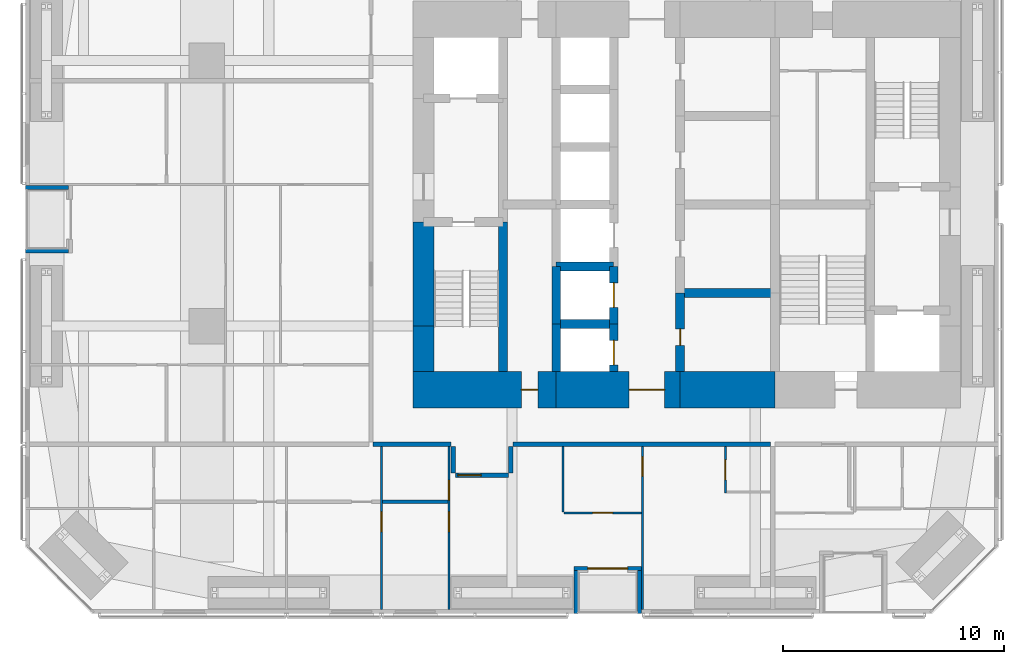
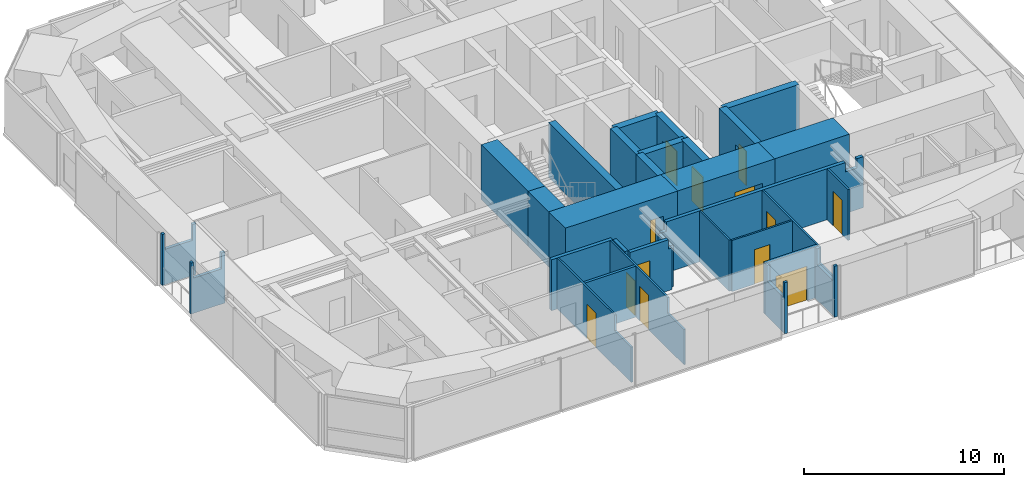
# One storey, part 18 of 24: 31 walls, 13 doors, 13 openings.
"""IFC4 building model written with IfcOpenShell, lengths in metres."""

from ifc_helpers import new_model, si_unit, direction, frame, frame_2d, origin, place, context, subcontext, project, spatial, polyline, rectangle, outline, extrude, material, layer, layer_set, constituent, constituent_set, type_object, element, fill, save


model = new_model("IFC4")

# Units and contexts
model_context = context("Model", 3, precision=1e-05, world=origin(), true_north=direction((0.0, 1.0)))
body_context = subcontext(model_context, "Body", "Model", "MODEL_VIEW")
ifc_project = project(units=[si_unit("LENGTHUNIT", "METRE"), si_unit("AREAUNIT", "SQUARE_METRE"), si_unit("VOLUMEUNIT", "CUBIC_METRE"), si_unit("PLANEANGLEUNIT", "RADIAN"), si_unit("MASSUNIT", "GRAM", prefix="KILO")], contexts=[model_context])

# Site, building, storey
site_placement = place(None, origin())
site = spatial("IfcSite", under=ifc_project, at=site_placement, CompositionType="ELEMENT")
building_placement = place(site_placement, origin())
building = spatial("IfcBuilding", under=site, at=building_placement, Name="Jalousie Tower", CompositionType="ELEMENT")
storey_placement = place(building_placement, frame((0.0, 0.0, 61.199951171875)))
storey = spatial("IfcBuildingStorey", under=building, at=storey_placement, Name="L16", CompositionType="ELEMENT", Elevation=61.199951171875)

# Wall
ifc_material_1 = material(Name="Concrete block ASTM C90", Category="concrete")
ifc_constituent_1 = constituent(ifc_material_1, Name="Body")
ifc_material_2 = material(Name="Render")
ifc_constituent_2 = constituent(ifc_material_2, Name="Finish")
ifc_constituent_set_1 = constituent_set(constituents=[ifc_constituent_1, ifc_constituent_2])
wall_type_1 = type_object("IfcWallType", Name="BATHROOM WALL 150", PredefinedType="PLUMBINGWALL", material=ifc_constituent_set_1)
wall_1_placement = place(storey_placement, frame((18.14990234375, 5.050048828125, 0.0), z_axis=(0.0, 0.0, 1.0), x_axis=(1.0, 0.0, 0.0)))
element("IfcWall", 1, at=wall_1_placement, inside=storey, type_object=wall_type_1, Name="Bathroom Wall 150 L16", PredefinedType="PLUMBINGWALL", context=body_context, shape_type="SweptSolid", body=[
    extrude(rectangle(XDim=2.9501953125, YDim=0.14990234375, at=frame_2d((1.47509765625, 0.0))), origin(), (0.0, 0.0, 1.0), 3.110107421875),
])

# Wall, opening, door
ifc_material_3 = material(Name="Concrete f'c 120 MPa", Category="concrete")
ifc_layer_1 = layer(ifc_material_3, 1.64990234375)
ifc_layer_set_1 = layer_set([ifc_layer_1], Name="Concrete f'c 120 MPa")
wall_type_2 = type_object("IfcWallType", Name="CORE WALL 1650", PredefinedType="SHEAR", material=ifc_layer_set_1)
wall_2_placement = place(storey_placement, frame((19.52490234375, 10.125, 0.0), z_axis=(0.0, 0.0, 1.0), x_axis=(1.0, 0.0, 0.0)))
wall_2 = element("IfcWall", 2, at=wall_2_placement, inside=storey, type_object=wall_type_2, Name="Core wall SA L16", PredefinedType="SHEAR", context=body_context, shape_type="SweptSolid", body=[
    extrude(rectangle(XDim=6.47509765625, YDim=1.64990234375, at=frame_2d((3.237548828125, 0.0))), origin(), (0.0, 0.0, 1.0), 3.35009765625),
])
opening_1_placement = place(wall_2_placement, frame((4.89990234375, 0.0, 0.0)))
opening_1 = element("IfcOpeningElement", 3, at=opening_1_placement, cuts=wall_2, Name="Opening D16", PredefinedType="OPENING", context=body_context, shape_type="SweptSolid", body=[
    extrude(rectangle(XDim=0.75, YDim=2.10009765625, at=frame_2d((0.375, 1.050048828125))), frame((0.0, 0.8349609375, 0.0), z_axis=(0.0, -1.0, 0.0), x_axis=(1.0, 0.0, 0.0)), (0.0, 0.0, 1.0), 1.669921875),
])
ifc_material_4 = material(Name="Steel fire door", Category="steel")
door_type_1 = type_object("IfcDoorType", Name="RISER DOOR 750", OperationType="SINGLE_SWING_LEFT", PredefinedType="DOOR", material=ifc_material_4)
door_1_placement = place(opening_1_placement, origin())
door_1 = element("IfcDoor", 4, at=door_1_placement, inside=storey, type_object=door_type_1, Name="South riser door", OperationType="SINGLE_SWING_LEFT", OverallHeight=2.10009765625, OverallWidth=0.75, PredefinedType="DOOR", context=body_context, shape_type="SweptSolid", body=[
    extrude(rectangle(XDim=0.75, YDim=2.10009765625, at=frame_2d((0.375, 1.050048828125))), frame((0.0, 0.02490234375, 0.0), z_axis=(0.0, -1.0, 0.0), x_axis=(1.0, 0.0, 0.0)), (0.0, 0.0, 1.0), 0.050048828125),
])
fill(opening_1, door_1)

wall_3_placement = place(storey_placement, frame((26.0, 10.125, 0.0), z_axis=(0.0, 0.0, 1.0), x_axis=(1.0, 0.0, 0.0)))
wall_3 = element("IfcWall", 5, at=wall_3_placement, inside=storey, type_object=wall_type_2, Name="Core wall SB L16", PredefinedType="SHEAR", context=body_context, shape_type="SweptSolid", body=[
    extrude(rectangle(XDim=5.60009765625, YDim=1.64990234375, at=frame_2d((2.800048828125, 0.0))), origin(), (0.0, 0.0, 1.0), 3.35009765625),
])
opening_2_placement = place(wall_3_placement, frame((3.300048828125, 0.0, 0.0)))
opening_2 = element("IfcOpeningElement", 6, at=opening_2_placement, cuts=wall_3, Name="Opening D15", PredefinedType="OPENING", context=body_context, shape_type="SweptSolid", body=[
    extrude(rectangle(XDim=1.60009765625, YDim=2.10009765625, at=frame_2d((0.800048828125, 1.050048828125))), frame((0.0, 0.8349609375, 0.0), z_axis=(0.0, -1.0, 0.0), x_axis=(1.0, 0.0, 0.0)), (0.0, 0.0, 1.0), 1.669921875),
])
ifc_material_5 = material(Name="Steel fire door", Category="steel")
door_type_2 = type_object("IfcDoorType", Name="LIFT LOBBY DOOR 1600", OperationType="DOUBLE_DOOR_SINGLE_SWING", PredefinedType="DOOR", material=ifc_material_5)
door_2_placement = place(opening_2_placement, origin())
door_2 = element("IfcDoor", 7, at=door_2_placement, inside=storey, type_object=door_type_2, Name="Lift lobby south door", OperationType="DOUBLE_DOOR_SINGLE_SWING", OverallHeight=2.10009765625, OverallWidth=1.60009765625, PredefinedType="DOOR", context=body_context, shape_type="SweptSolid", body=[
    extrude(rectangle(XDim=1.60009765625, YDim=2.10009765625, at=frame_2d((0.800048828125, 1.050048828125))), frame((0.0, 0.02490234375, 0.0), z_axis=(0.0, -1.0, 0.0), x_axis=(1.0, 0.0, 0.0)), (0.0, 0.0, 1.0), 0.050048828125),
])
fill(opening_2, door_2)

# Walls
wall_4_placement = place(storey_placement, frame((31.60009765625, 10.125, 0.0), z_axis=(0.0, 0.0, 1.0), x_axis=(1.0, 0.0, 0.0)))
element("IfcWall", 8, at=wall_4_placement, inside=storey, type_object=wall_type_2, Name="Core wall SC L16", PredefinedType="SHEAR", context=body_context, shape_type="SweptSolid", body=[
    extrude(rectangle(XDim=4.2998046875, YDim=1.64990234375, at=frame_2d((2.14990234375, 0.0))), origin(), (0.0, 0.0, 1.0), 3.35009765625),
])
ifc_material_6 = material(Name="Concrete f'c 120 MPa", Category="concrete")
ifc_layer_2 = layer(ifc_material_6, 0.39990234375)
ifc_layer_set_2 = layer_set([ifc_layer_2], Name="Concrete f'c 120 MPa")
wall_type_3 = type_object("IfcWallType", Name="CORE WALL 400", PredefinedType="SHEAR", material=ifc_layer_set_2)
wall_5_placement = place(storey_placement, frame((23.60009765625, 10.949951171875, 0.0), z_axis=(0.0, 0.0, 1.0), x_axis=(0.0, 1.0, 0.0)))
element("IfcWall", 9, at=wall_5_placement, inside=storey, type_object=wall_type_3, Name="Core wall X23.6A L16", PredefinedType="SHEAR", context=body_context, shape_type="SweptSolid", body=[
    extrude(rectangle(XDim=6.75, YDim=0.39990234375, at=frame_2d((3.375, 0.0))), origin(), (0.0, 0.0, 1.0), 3.35009765625),
])
wall_6_placement = place(storey_placement, frame((26.0, 10.949951171875, 0.0), z_axis=(0.0, 0.0, 1.0), x_axis=(0.0, 1.0, 0.0)))
element("IfcWall", 10, at=wall_6_placement, inside=storey, type_object=wall_type_3, Name="Core wall X26A L16", PredefinedType="SHEAR", context=body_context, shape_type="SweptSolid", body=[
    extrude(rectangle(XDim=2.150146484375, YDim=0.39990234375, at=frame_2d((1.0751953125, 0.0))), origin(), (0.0, 0.0, 1.0), 3.35009765625),
])
wall_7_placement = place(storey_placement, frame((26.0, 13.10009765625, 0.0), z_axis=(0.0, 0.0, 1.0), x_axis=(0.0, 1.0, 0.0)))
element("IfcWall", 11, at=wall_7_placement, inside=storey, type_object=wall_type_3, Name="Core wall X26B L16", PredefinedType="SHEAR", context=body_context, shape_type="SweptSolid", body=[
    extrude(rectangle(XDim=2.599853515625, YDim=0.39990234375, at=frame_2d((1.2998046875, 0.0))), origin(), (0.0, 0.0, 1.0), 3.35009765625),
])

# Wall, opening, door
wall_8_placement = place(storey_placement, frame((28.60009765625, 10.949951171875, 0.0), z_axis=(0.0, 0.0, 1.0), x_axis=(0.0, 1.0, 0.0)))
wall_8 = element("IfcWall", 12, at=wall_8_placement, inside=storey, type_object=wall_type_3, Name="Core wall X28.6A L16", PredefinedType="SHEAR", context=body_context, shape_type="SweptSolid", body=[
    extrude(rectangle(XDim=2.150146484375, YDim=0.39990234375, at=frame_2d((1.0751953125, 0.0))), origin(), (0.0, 0.0, 1.0), 3.35009765625),
])
opening_3_placement = place(wall_8_placement, frame((0.300048828125, 0.0, 0.0)))
opening_3 = element("IfcOpeningElement", 13, at=opening_3_placement, cuts=wall_8, Name="Opening LD1", PredefinedType="OPENING", context=body_context, shape_type="SweptSolid", body=[
    extrude(rectangle(XDim=1.10009765625, YDim=2.10009765625, at=frame_2d((0.550048828125, 1.050048828125))), frame((0.0, 0.2099609375, 0.0), z_axis=(0.0, -1.0, 0.0), x_axis=(1.0, 0.0, 0.0)), (0.0, 0.0, 1.0), 0.419921875),
])
ifc_material_7 = material(Name="Steel lift landing door", Category="steel")
door_type_3 = type_object("IfcDoorType", Name="LIFT LANDING DOOR 1100", OperationType="SLIDING_TO_LEFT", PredefinedType="DOOR", material=ifc_material_7)
door_3_placement = place(opening_3_placement, origin())
door_3 = element("IfcDoor", 14, at=door_3_placement, inside=storey, type_object=door_type_3, Name="Lift P1 landing door", OperationType="SLIDING_TO_LEFT", OverallHeight=2.10009765625, OverallWidth=1.10009765625, PredefinedType="DOOR", context=body_context, shape_type="SweptSolid", body=[
    extrude(rectangle(XDim=1.10009765625, YDim=2.10009765625, at=frame_2d((0.550048828125, 1.050048828125))), frame((0.0, 0.02490234375, 0.0), z_axis=(0.0, -1.0, 0.0), x_axis=(1.0, 0.0, 0.0)), (0.0, 0.0, 1.0), 0.050048828125),
])
fill(opening_3, door_3)

wall_9_placement = place(storey_placement, frame((28.60009765625, 13.10009765625, 0.0), z_axis=(0.0, 0.0, 1.0), x_axis=(0.0, 1.0, 0.0)))
wall_9 = element("IfcWall", 15, at=wall_9_placement, inside=storey, type_object=wall_type_3, Name="Core wall X28.6B L16", PredefinedType="SHEAR", context=body_context, shape_type="SweptSolid", body=[
    extrude(rectangle(XDim=2.599853515625, YDim=0.39990234375, at=frame_2d((1.2998046875, 0.0))), origin(), (0.0, 0.0, 1.0), 3.35009765625),
])
opening_4_placement = place(wall_9_placement, frame((0.75, 0.0, 0.0)))
opening_4 = element("IfcOpeningElement", 16, at=opening_4_placement, cuts=wall_9, Name="Opening LD1", PredefinedType="OPENING", context=body_context, shape_type="SweptSolid", body=[
    extrude(rectangle(XDim=1.10009765625, YDim=2.10009765625, at=frame_2d((0.550048828125, 1.050048828125))), frame((0.0, 0.2099609375, 0.0), z_axis=(0.0, -1.0, 0.0), x_axis=(1.0, 0.0, 0.0)), (0.0, 0.0, 1.0), 0.419921875),
])
door_4_placement = place(opening_4_placement, origin())
door_4 = element("IfcDoor", 17, at=door_4_placement, inside=storey, type_object=door_type_3, Name="Lift P2 landing door", OperationType="SLIDING_TO_LEFT", OverallHeight=2.10009765625, OverallWidth=1.10009765625, PredefinedType="DOOR", context=body_context, shape_type="SweptSolid", body=[
    extrude(rectangle(XDim=1.10009765625, YDim=2.10009765625, at=frame_2d((0.550048828125, 1.050048828125))), frame((0.0, 0.02490234375, 0.0), z_axis=(0.0, -1.0, 0.0), x_axis=(1.0, 0.0, 0.0)), (0.0, 0.0, 1.0), 0.050048828125),
])
fill(opening_4, door_4)

wall_10_placement = place(storey_placement, frame((31.60009765625, 10.949951171875, 0.0), z_axis=(0.0, 0.0, 1.0), x_axis=(0.0, 1.0, 0.0)))
wall_10 = element("IfcWall", 18, at=wall_10_placement, inside=storey, type_object=wall_type_3, Name="Core wall X31.6A L16", PredefinedType="SHEAR", context=body_context, shape_type="SweptSolid", body=[
    extrude(rectangle(XDim=3.550048828125, YDim=0.39990234375, at=frame_2d((1.77490234375, 0.0))), origin(), (0.0, 0.0, 1.0), 3.35009765625),
])
opening_5_placement = place(wall_10_placement, frame((1.175048828125, 0.0, 0.0)))
opening_5 = element("IfcOpeningElement", 19, at=opening_5_placement, cuts=wall_10, Name="Opening D16", PredefinedType="OPENING", context=body_context, shape_type="SweptSolid", body=[
    extrude(rectangle(XDim=0.75, YDim=2.10009765625, at=frame_2d((0.375, 1.050048828125))), frame((0.0, 0.2099609375, 0.0), z_axis=(0.0, -1.0, 0.0), x_axis=(1.0, 0.0, 0.0)), (0.0, 0.0, 1.0), 0.419921875),
])
door_5_placement = place(opening_5_placement, frame((0.75, 0.0, 0.0), z_axis=(0.0, 0.0, 1.0), x_axis=(-1.0, 0.0, 0.0)))
door_5 = element("IfcDoor", 20, at=door_5_placement, inside=storey, type_object=door_type_1, Name="Refuse Room door", OperationType="SINGLE_SWING_RIGHT", OverallHeight=2.10009765625, OverallWidth=0.75, PredefinedType="DOOR", context=body_context, shape_type="SweptSolid", body=[
    extrude(rectangle(XDim=0.75, YDim=2.10009765625, at=frame_2d((0.375, 1.050048828125))), frame((0.0, 0.02490234375, 0.0), z_axis=(0.0, -1.0, 0.0), x_axis=(1.0, 0.0, 0.0)), (0.0, 0.0, 1.0), 0.050048828125),
])
fill(opening_5, door_5)

# Walls
for number, where, z_axis, x_axis, name in (
    (21, (26.0, 13.10009765625, 0.0), (0.0, 0.0, 1.0), (1.0, 0.0, 0.0), "Core wall Y26-13.1 L16"),
    (22, (26.0, 15.699951171875, 0.0), (0.0, 0.0, 1.0), (1.0, 0.0, 0.0), "Core wall Y26-15.7 L16"),
):
    element("IfcWall", number, at=place(storey_placement, frame(where, z_axis=z_axis, x_axis=x_axis)), inside=storey, type_object=wall_type_3, Name=name, PredefinedType="SHEAR", context=body_context, shape_type="SweptSolid", body=[
        extrude(rectangle(XDim=2.60009765625, YDim=0.39990234375, at=frame_2d((1.300048828125, 0.0))), origin(), (0.0, 0.0, 1.0), 3.35009765625),
    ])
wall_11_placement = place(storey_placement, frame((31.60009765625, 14.5, 0.0), z_axis=(0.0, 0.0, 1.0), x_axis=(1.0, 0.0, 0.0)))
element("IfcWall", 23, at=wall_11_placement, inside=storey, type_object=wall_type_3, Name="Core wall Y31.6-14.5 L16", PredefinedType="SHEAR", context=body_context, shape_type="SweptSolid", body=[
    extrude(rectangle(XDim=4.2998046875, YDim=0.39990234375, at=frame_2d((2.14990234375, 0.0))), origin(), (0.0, 0.0, 1.0), 3.35009765625),
])
ifc_material_8 = material(Name="Concrete f'c 120 MPa", Category="concrete")
ifc_layer_3 = layer(ifc_material_8, 0.949951171875)
ifc_layer_set_3 = layer_set([ifc_layer_3], Name="Concrete f'c 120 MPa")
wall_type_4 = type_object("IfcWallType", Name="CORE WALL 950", PredefinedType="SHEAR", material=ifc_layer_set_3)
wall_12_placement = place(storey_placement, frame((20.0, 17.699951171875, 0.0), z_axis=(0.0, 0.0, 1.0), x_axis=(0.0, -1.0, 0.0)))
element("IfcWall", 24, at=wall_12_placement, inside=storey, type_object=wall_type_4, Name="Core wall WC L16", PredefinedType="SHEAR", context=body_context, shape_type="SweptSolid", body=[
    extrude(rectangle(XDim=4.699951171875, YDim=0.949951171875, at=frame_2d((2.35009765625, 0.0))), origin(), (0.0, 0.0, 1.0), 3.35009765625),
])
wall_13_placement = place(storey_placement, frame((20.0, 13.0, 0.0), z_axis=(0.0, 0.0, 1.0), x_axis=(0.0, -1.0, 0.0)))
element("IfcWall", 25, at=wall_13_placement, inside=storey, type_object=wall_type_4, Name="Core wall WD L16", PredefinedType="SHEAR", context=body_context, shape_type="SweptSolid", body=[
    extrude(rectangle(XDim=2.050048828125, YDim=0.949951171875, at=frame_2d((1.02490234375, 0.0))), origin(), (0.0, 0.0, 1.0), 3.35009765625),
])
ifc_material_9 = material(Name="Concrete block ASTM C90", Category="concrete")
ifc_constituent_3 = constituent(ifc_material_9, Name="Body")
ifc_material_10 = material(Name="Render")
ifc_constituent_4 = constituent(ifc_material_10, Name="Finish")
ifc_constituent_set_2 = constituent_set(constituents=[ifc_constituent_3, ifc_constituent_4])
wall_type_5 = type_object("IfcWallType", Name="CORRIDOR WALL 200", PredefinedType="PARTITIONING", material=ifc_constituent_set_2)
wall_14_placement = place(storey_placement, frame((17.72509765625, 7.64990234375, 0.0), z_axis=(0.0, 0.0, 1.0), x_axis=(1.0, 0.0, 0.0)))
element("IfcWall", 26, at=wall_14_placement, inside=storey, type_object=wall_type_5, Name="Corridor Wall 200 L16", PredefinedType="PARTITIONING", context=body_context, shape_type="SweptSolid", body=[
    extrude(rectangle(XDim=3.52490234375, YDim=0.199951171875, at=frame_2d((1.762451171875, 0.0))), origin(), (0.0, 0.0, 1.0), 3.110107421875),
])
wall_15_placement = place(storey_placement, frame((24.050048828125, 7.64990234375, 0.0), z_axis=(0.0, 0.0, 1.0), x_axis=(1.0, 0.0, 0.0)))
element("IfcWall", 27, at=wall_15_placement, inside=storey, type_object=wall_type_5, Name="Corridor Wall 200 L16", PredefinedType="PARTITIONING", context=body_context, shape_type="SweptSolid", body=[
    extrude(outline(polyline([(0.0, 0.0), (11.64990234375, 0.0), (11.64990234375, 3.110107421875), (11.287353515625, 3.110107421875), (11.287353515625, 2.541015625), (10.612548828125, 2.541015625), (10.612548828125, 3.110107421875), (0.287353515625, 3.110107421875), (0.287353515625, 2.541015625), (0.0, 2.541015625), (0.0, 3.110107421875), (0.0, 0.0)])), frame((0.0, 0.10009765625, 0.0), z_axis=(0.0, -1.0, 0.0), x_axis=(1.0, 0.0, 0.0)), (0.0, 0.0, 1.0), 0.199951171875),
])

# Wall, opening, door
wall_16_placement = place(storey_placement, frame((21.449951171875, 6.25, 0.0), z_axis=(0.0, 0.0, 1.0), x_axis=(1.0, 0.0, 0.0)))
wall_16 = element("IfcWall", 28, at=wall_16_placement, inside=storey, type_object=wall_type_5, Name="Corridor Wall 200 L16", PredefinedType="PARTITIONING", context=body_context, shape_type="SweptSolid", body=[
    extrude(outline(polyline([(0.0, 0.0), (2.400146484375, 0.0), (2.39990234375, 3.110107421875), (2.39990234375, 2.541015625), (2.212646484375, 2.541015625), (2.212646484375, 3.110107421875), (0.0, 3.110107421875), (0.0, 0.0)])), frame((0.0, 0.10009765625, 0.0), z_axis=(0.0, -1.0, 0.0), x_axis=(1.0, 0.0, 0.0)), (0.0, 0.0, 1.0), 0.199951171875),
])
opening_6_placement = place(wall_16_placement, frame((0.10009765625, 0.0, 0.0)))
opening_6 = element("IfcOpeningElement", 29, at=opening_6_placement, cuts=wall_16, Name="Opening D1", PredefinedType="OPENING", context=body_context, shape_type="SweptSolid", body=[
    extrude(rectangle(XDim=1.050048828125, YDim=2.199951171875, at=frame_2d((0.52490234375, 1.10009765625))), frame((0.0, 0.10986328125, 0.0), z_axis=(0.0, -1.0, 0.0), x_axis=(1.0, 0.0, 0.0)), (0.0, 0.0, 1.0), 0.219970703125),
])
ifc_material_11 = material(Name="Timber fire door", Category="wood")
door_type_4 = type_object("IfcDoorType", Name="APARTMENT ENTRANCE DOOR 1050", OperationType="SINGLE_SWING_LEFT", PredefinedType="DOOR", material=ifc_material_11)
door_6_placement = place(opening_6_placement, frame((1.050048828125, 0.0, 0.0), z_axis=(0.0, 0.0, 1.0), x_axis=(-1.0, 0.0, 0.0)))
door_6 = element("IfcDoor", 30, at=door_6_placement, inside=storey, type_object=door_type_4, Name="Apartment 1601 entrance", OperationType="SINGLE_SWING_RIGHT", OverallHeight=2.199951171875, OverallWidth=1.050048828125, PredefinedType="DOOR", context=body_context, shape_type="SweptSolid", body=[
    extrude(rectangle(XDim=1.050048828125, YDim=2.199951171875, at=frame_2d((0.52490234375, 1.10009765625))), frame((0.0, 0.02490234375, 0.0), z_axis=(0.0, -1.0, 0.0), x_axis=(1.0, 0.0, 0.0)), (0.0, 0.0, 1.0), 0.050048828125),
])
fill(opening_6, door_6)

# Walls
wall_17_placement = place(storey_placement, frame((21.35009765625, 7.550048828125, 0.0), z_axis=(0.0, 0.0, 1.0), x_axis=(0.0, -1.0, 0.0)))
element("IfcWall", 31, at=wall_17_placement, inside=storey, type_object=wall_type_5, Name="Corridor Wall 200 L16", PredefinedType="PARTITIONING", context=body_context, shape_type="SweptSolid", body=[
    extrude(rectangle(XDim=1.199951171875, YDim=0.199951171875, at=frame_2d((0.60009765625, 0.0))), origin(), (0.0, 0.0, 1.0), 3.110107421875),
])
wall_18_placement = place(storey_placement, frame((23.949951171875, 7.550048828125, 0.0), z_axis=(0.0, 0.0, 1.0), x_axis=(0.0, -1.0, 0.0)))
element("IfcWall", 32, at=wall_18_placement, inside=storey, type_object=wall_type_5, Name="Corridor Wall 200 L16", PredefinedType="PARTITIONING", context=body_context, shape_type="SweptSolid", body=[
    extrude(outline(polyline([(0.0, 0.0), (1.199951171875, 0.0), (1.199951171875, 3.110107421875), (1.199951171875, 2.541015625), (0.0, 2.541015625), (0.0, 3.110107421875), (0.0, 0.0)])), frame((0.0, 0.10009765625, 0.0), z_axis=(0.0, -1.0, 0.0), x_axis=(1.0, 0.0, 0.0)), (0.0, 0.0, 1.0), 0.199951171875),
])

# Wall, opening, door
ifc_material_12 = material(Name="Concrete f'c 40 MPa", Category="concrete")
ifc_constituent_5 = constituent(ifc_material_12, Name="Body")
ifc_material_13 = material(Name="Render, pastel coral")
ifc_constituent_6 = constituent(ifc_material_13, Name="Finish")
ifc_constituent_set_3 = constituent_set(constituents=[ifc_constituent_5, ifc_constituent_6])
wall_type_6 = type_object("IfcWallType", Name="EXTERNAL WALL 175 CORAL RENDER", PredefinedType="SOLIDWALL", material=ifc_constituent_set_3)
wall_19_placement = place(storey_placement, frame((26.800048828125, 2.03759765625, 0.0), z_axis=(0.0, 0.0, 1.0), x_axis=(1.0, 0.0, 0.0)))
wall_19 = element("IfcWall", 33, at=wall_19_placement, inside=storey, type_object=wall_type_6, Name="External Wall 175 Coral Render L16", PredefinedType="SOLIDWALL", context=body_context, shape_type="SweptSolid", body=[
    extrude(rectangle(XDim=3.050048828125, YDim=0.175048828125, at=frame_2d((1.52490234375, 0.0))), origin(), (0.0, 0.0, 1.0), 3.110107421875),
])
opening_7_placement = place(wall_19_placement, frame((0.625, 0.0, 0.0)))
opening_7 = element("IfcOpeningElement", 34, at=opening_7_placement, cuts=wall_19, Name="Opening D-BAL21", PredefinedType="OPENING", context=body_context, shape_type="SweptSolid", body=[
    extrude(rectangle(XDim=1.800048828125, YDim=2.10009765625, at=frame_2d((0.89990234375, 1.050048828125))), frame((0.0, 0.097412109375, 0.0), z_axis=(0.0, -1.0, 0.0), x_axis=(1.0, 0.0, 0.0)), (0.0, 0.0, 1.0), 0.195068359375),
])
ifc_material_14 = material(Name="Aluminium frame, impact-rated glazing", Category="aluminium")
door_type_5 = type_object("IfcDoorType", Name="BALCONY DOOR 1800x2100", OperationType="SLIDING_TO_LEFT", PredefinedType="DOOR", material=ifc_material_14)
door_7_placement = place(opening_7_placement, origin())
door_7 = element("IfcDoor", 35, at=door_7_placement, inside=storey, type_object=door_type_5, Name="Apartment 1601 living and dining room loggia door", OperationType="SLIDING_TO_LEFT", OverallHeight=2.10009765625, OverallWidth=1.800048828125, PredefinedType="DOOR", context=body_context, shape_type="SweptSolid", body=[
    extrude(rectangle(XDim=1.800048828125, YDim=2.10009765625, at=frame_2d((0.89990234375, 1.050048828125))), frame((0.0, 0.02490234375, 0.0), z_axis=(0.0, -1.0, 0.0), x_axis=(1.0, 0.0, 0.0)), (0.0, 0.0, 1.0), 0.050048828125),
])
fill(opening_7, door_7)

# Walls
for number, where, z_axis, x_axis, name in (
    (36, (26.887451171875, 0.0, 0.0), (0.0, 0.0, 1.0), (0.0, 1.0, 0.0), "External Wall 175 Coral Render L16"),
    (37, (29.762451171875, 0.0, 0.0), (0.0, 0.0, 1.0), (0.0, 1.0, 0.0), "External Wall 175 Coral Render L16"),
    (38, (2.0, 19.262451171875, 0.0), (0.0, 0.0, 1.0), (1.0, 0.0, 0.0), "External Wall 175 Coral Render L16"),
    (39, (2.0, 16.387451171875, 0.0), (0.0, 0.0, 1.0), (1.0, 0.0, 0.0), "External Wall 175 Coral Render L16"),
):
    element("IfcWall", number, at=place(storey_placement, frame(where, z_axis=z_axis, x_axis=x_axis)), inside=storey, type_object=wall_type_6, Name=name, PredefinedType="SOLIDWALL", context=body_context, shape_type="SweptSolid", body=[
        extrude(outline(polyline([(0.0, 0.0), (1.949951171875, 0.0), (1.949951171875, 3.110107421875), (1.75, 3.110107421875), (1.75, 2.150146484375), (0.14990234375, 2.150146484375), (0.14990234375, 3.110107421875), (0.0, 3.110107421875), (0.0, 0.0)])), frame((0.0, 0.08740234375, 0.0), z_axis=(0.0, -1.0, 0.0), x_axis=(1.0, 0.0, 0.0)), (0.0, 0.0, 1.0), 0.175048828125),
    ])

# Wall, opening, door
ifc_material_15 = material(Name="Gypsum board", Category="gypsum")
ifc_constituent_7 = constituent(ifc_material_15, Name="Body")
ifc_material_16 = material(Name="Light-gauge steel studs ASTM A653 SS Grade 33", Category="steel")
ifc_constituent_8 = constituent(ifc_material_16, Name="Framing")
ifc_constituent_set_4 = constituent_set(constituents=[ifc_constituent_7, ifc_constituent_8])
wall_type_7 = type_object("IfcWallType", Name="PARTITION 100", PredefinedType="PARTITIONING", material=ifc_constituent_set_4)
wall_20_placement = place(storey_placement, frame((18.10009765625, 0.175048828125, 0.0), z_axis=(0.0, 0.0, 1.0), x_axis=(0.0, 1.0, 0.0)))
wall_20 = element("IfcWall", 40, at=wall_20_placement, inside=storey, type_object=wall_type_7, Name="Partition 100 L16", PredefinedType="PARTITIONING", context=body_context, shape_type="SweptSolid", body=[
    extrude(outline(polyline([(0.0, 0.0), (7.375, 0.0), (7.375, 3.110107421875), (1.635009765625, 3.110107421875), (1.635009765625, 2.150146484375), (0.0, 2.150146484375), (0.0, 3.110107421875), (0.0, 0.0)])), frame((0.0, 0.050048828125, 0.0), z_axis=(0.0, -1.0, 0.0), x_axis=(1.0, 0.0, 0.0)), (0.0, 0.0, 1.0), 0.10009765625),
])
opening_8_placement = place(wall_20_placement, frame((3.52490234375, 0.0, 0.0)))
opening_8 = element("IfcOpeningElement", 41, at=opening_8_placement, cuts=wall_20, Name="Opening D2", PredefinedType="OPENING", context=body_context, shape_type="SweptSolid", body=[
    extrude(rectangle(XDim=0.89990234375, YDim=2.10009765625, at=frame_2d((0.449951171875, 1.050048828125))), frame((0.0, 0.06005859375, 0.0), z_axis=(0.0, -1.0, 0.0), x_axis=(1.0, 0.0, 0.0)), (0.0, 0.0, 1.0), 0.1201171875),
])
ifc_material_17 = material(Name="Timber door", Category="wood")
door_type_6 = type_object("IfcDoorType", Name="BEDROOM DOOR 900", OperationType="SINGLE_SWING_LEFT", PredefinedType="DOOR", material=ifc_material_17)
door_8_placement = place(opening_8_placement, origin())
door_8 = element("IfcDoor", 42, at=door_8_placement, inside=storey, type_object=door_type_6, Name="Apartment 1601 bedroom 3 door", OperationType="SINGLE_SWING_RIGHT", OverallHeight=2.10009765625, OverallWidth=0.89990234375, PredefinedType="DOOR", context=body_context, shape_type="SweptSolid", body=[
    extrude(rectangle(XDim=0.89990234375, YDim=2.10009765625, at=frame_2d((0.449951171875, 1.050048828125))), frame((0.0, 0.02490234375, 0.0), z_axis=(0.0, -1.0, 0.0), x_axis=(1.0, 0.0, 0.0)), (0.0, 0.0, 1.0), 0.050048828125),
])
fill(opening_8, door_8)

# Wall, openings, doors
wall_21_placement = place(storey_placement, frame((21.14990234375, 0.175048828125, 0.0), z_axis=(0.0, 0.0, 1.0), x_axis=(0.0, 1.0, 0.0)))
wall_21 = element("IfcWall", 43, at=wall_21_placement, inside=storey, type_object=wall_type_7, Name="Partition 100 L16", PredefinedType="PARTITIONING", context=body_context, shape_type="SweptSolid", body=[
    extrude(outline(polyline([(0.0, 0.0), (7.375, 0.0), (7.375, 3.110107421875), (1.635009765625, 3.110107421875), (1.635009765625, 2.150146484375), (0.0, 2.150146484375), (0.0, 3.110107421875), (0.0, 0.0)])), frame((0.0, 0.050048828125, 0.0), z_axis=(0.0, -1.0, 0.0), x_axis=(1.0, 0.0, 0.0)), (0.0, 0.0, 1.0), 0.10009765625),
])
opening_9_placement = place(wall_21_placement, frame((3.52490234375, 0.0, 0.0)))
opening_9 = element("IfcOpeningElement", 44, at=opening_9_placement, cuts=wall_21, Name="Opening D2", PredefinedType="OPENING", context=body_context, shape_type="SweptSolid", body=[
    extrude(rectangle(XDim=0.89990234375, YDim=2.10009765625, at=frame_2d((0.449951171875, 1.050048828125))), frame((0.0, 0.06005859375, 0.0), z_axis=(0.0, -1.0, 0.0), x_axis=(1.0, 0.0, 0.0)), (0.0, 0.0, 1.0), 0.1201171875),
])
opening_10_placement = place(wall_21_placement, frame((4.949951171875, 0.0, 0.0)))
opening_10 = element("IfcOpeningElement", 45, at=opening_10_placement, cuts=wall_21, Name="Opening D7", PredefinedType="OPENING", context=body_context, shape_type="SweptSolid", body=[
    extrude(rectangle(XDim=0.89990234375, YDim=2.10009765625, at=frame_2d((0.449951171875, 1.050048828125))), frame((0.0, 0.06005859375, 0.0), z_axis=(0.0, -1.0, 0.0), x_axis=(1.0, 0.0, 0.0)), (0.0, 0.0, 1.0), 0.1201171875),
])
door_9_placement = place(opening_9_placement, origin())
door_9 = element("IfcDoor", 46, at=door_9_placement, inside=storey, type_object=door_type_6, Name="Apartment 1601 bedroom 4 door", OperationType="SINGLE_SWING_RIGHT", OverallHeight=2.10009765625, OverallWidth=0.89990234375, PredefinedType="DOOR", context=body_context, shape_type="SweptSolid", body=[
    extrude(rectangle(XDim=0.89990234375, YDim=2.10009765625, at=frame_2d((0.449951171875, 1.050048828125))), frame((0.0, 0.02490234375, 0.0), z_axis=(0.0, -1.0, 0.0), x_axis=(1.0, 0.0, 0.0)), (0.0, 0.0, 1.0), 0.050048828125),
])
fill(opening_9, door_9)
ifc_material_18 = material(Name="Timber door", Category="wood")
door_type_7 = type_object("IfcDoorType", Name="INTERNAL DOOR 900", OperationType="SINGLE_SWING_LEFT", PredefinedType="DOOR", material=ifc_material_18)
door_10_placement = place(opening_10_placement, origin())
door_10 = element("IfcDoor", 47, at=door_10_placement, inside=storey, type_object=door_type_7, Name="Apartment 1601 bathroom door", OperationType="SINGLE_SWING_LEFT", OverallHeight=2.10009765625, OverallWidth=0.89990234375, PredefinedType="DOOR", context=body_context, shape_type="SweptSolid", body=[
    extrude(rectangle(XDim=0.89990234375, YDim=2.10009765625, at=frame_2d((0.449951171875, 1.050048828125))), frame((0.0, 0.02490234375, 0.0), z_axis=(0.0, -1.0, 0.0), x_axis=(1.0, 0.0, 0.0)), (0.0, 0.0, 1.0), 0.050048828125),
])
fill(opening_10, door_10)

# Wall, opening, door
wall_22_placement = place(storey_placement, frame((29.89990234375, 0.175048828125, 0.0), z_axis=(0.0, 0.0, 1.0), x_axis=(0.0, 1.0, 0.0)))
wall_22 = element("IfcWall", 48, at=wall_22_placement, inside=storey, type_object=wall_type_7, Name="Partition 100 L16", PredefinedType="PARTITIONING", context=body_context, shape_type="SweptSolid", body=[
    extrude(outline(polyline([(0.0, 0.0), (7.375, 0.0), (7.375, 3.110107421875), (1.635009765625, 3.110107421875), (1.635009765625, 2.150146484375), (0.0, 2.150146484375), (0.0, 3.110107421875), (0.0, 0.0)])), frame((0.0, 0.050048828125, 0.0), z_axis=(0.0, -1.0, 0.0), x_axis=(1.0, 0.0, 0.0)), (0.0, 0.0, 1.0), 0.10009765625),
])
opening_11_placement = place(wall_22_placement, frame((6.02490234375, 0.0, 0.0)))
opening_11 = element("IfcOpeningElement", 49, at=opening_11_placement, cuts=wall_22, Name="Opening D2", PredefinedType="OPENING", context=body_context, shape_type="SweptSolid", body=[
    extrude(rectangle(XDim=0.89990234375, YDim=2.10009765625, at=frame_2d((0.449951171875, 1.050048828125))), frame((0.0, 0.06005859375, 0.0), z_axis=(0.0, -1.0, 0.0), x_axis=(1.0, 0.0, 0.0)), (0.0, 0.0, 1.0), 0.1201171875),
])
door_11_placement = place(opening_11_placement, frame((0.89990234375, 0.0, 0.0), z_axis=(0.0, 0.0, 1.0), x_axis=(-1.0, 0.0, 0.0)))
door_11 = element("IfcDoor", 50, at=door_11_placement, inside=storey, type_object=door_type_6, Name="Apartment 1601 study door", OperationType="SINGLE_SWING_LEFT", OverallHeight=2.10009765625, OverallWidth=0.89990234375, PredefinedType="DOOR", context=body_context, shape_type="SweptSolid", body=[
    extrude(rectangle(XDim=0.89990234375, YDim=2.10009765625, at=frame_2d((0.449951171875, 1.050048828125))), frame((0.0, 0.02490234375, 0.0), z_axis=(0.0, -1.0, 0.0), x_axis=(1.0, 0.0, 0.0)), (0.0, 0.0, 1.0), 0.050048828125),
])
fill(opening_11, door_11)

wall_23_placement = place(storey_placement, frame((26.35009765625, 4.550048828125, 0.0), z_axis=(0.0, 0.0, 1.0), x_axis=(1.0, 0.0, 0.0)))
wall_23 = element("IfcWall", 51, at=wall_23_placement, inside=storey, type_object=wall_type_7, Name="Partition 100 L16", PredefinedType="PARTITIONING", context=body_context, shape_type="SweptSolid", body=[
    extrude(rectangle(XDim=3.5, YDim=0.10009765625, at=frame_2d((1.75, 0.0))), origin(), (0.0, 0.0, 1.0), 3.110107421875),
])
opening_12_placement = place(wall_23_placement, frame((1.300048828125, 0.0, 0.0)))
opening_12 = element("IfcOpeningElement", 52, at=opening_12_placement, cuts=wall_23, Name="Opening D7", PredefinedType="OPENING", context=body_context, shape_type="SweptSolid", body=[
    extrude(rectangle(XDim=0.89990234375, YDim=2.10009765625, at=frame_2d((0.449951171875, 1.050048828125))), frame((0.0, 0.06005859375, 0.0), z_axis=(0.0, -1.0, 0.0), x_axis=(1.0, 0.0, 0.0)), (0.0, 0.0, 1.0), 0.1201171875),
])
door_12_placement = place(opening_12_placement, origin())
door_12 = element("IfcDoor", 53, at=door_12_placement, inside=storey, type_object=door_type_7, Name="Apartment 1601 kitchen door", OperationType="SINGLE_SWING_RIGHT", OverallHeight=2.10009765625, OverallWidth=0.89990234375, PredefinedType="DOOR", context=body_context, shape_type="SweptSolid", body=[
    extrude(rectangle(XDim=0.89990234375, YDim=2.10009765625, at=frame_2d((0.449951171875, 1.050048828125))), frame((0.0, 0.02490234375, 0.0), z_axis=(0.0, -1.0, 0.0), x_axis=(1.0, 0.0, 0.0)), (0.0, 0.0, 1.0), 0.050048828125),
])
fill(opening_12, door_12)

# Wall
wall_24_placement = place(storey_placement, frame((26.300048828125, 4.60009765625, 0.0), z_axis=(0.0, 0.0, 1.0), x_axis=(0.0, 1.0, 0.0)))
element("IfcWall", 54, at=wall_24_placement, inside=storey, type_object=wall_type_7, Name="Partition 100 L16", PredefinedType="PARTITIONING", context=body_context, shape_type="SweptSolid", body=[
    extrude(rectangle(XDim=2.949951171875, YDim=0.10009765625, at=frame_2d((1.47509765625, 0.0))), origin(), (0.0, 0.0, 1.0), 3.110107421875),
])

# Wall, opening, door
wall_25_placement = place(storey_placement, frame((33.64990234375, 7.550048828125, 0.0), z_axis=(0.0, 0.0, 1.0), x_axis=(0.0, -1.0, 0.0)))
wall_25 = element("IfcWall", 55, at=wall_25_placement, inside=storey, type_object=wall_type_7, Name="Partition 100 L16", PredefinedType="PARTITIONING", context=body_context, shape_type="SweptSolid", body=[
    extrude(rectangle(XDim=2.10009765625, YDim=0.10009765625, at=frame_2d((1.050048828125, 0.0))), origin(), (0.0, 0.0, 1.0), 3.110107421875),
])
opening_13_placement = place(wall_25_placement, frame((0.60009765625, 0.0, 0.0)))
opening_13 = element("IfcOpeningElement", 56, at=opening_13_placement, cuts=wall_25, Name="Opening D7", PredefinedType="OPENING", context=body_context, shape_type="SweptSolid", body=[
    extrude(rectangle(XDim=0.89990234375, YDim=2.10009765625, at=frame_2d((0.449951171875, 1.050048828125))), frame((0.0, 0.06005859375, 0.0), z_axis=(0.0, -1.0, 0.0), x_axis=(1.0, 0.0, 0.0)), (0.0, 0.0, 1.0), 0.1201171875),
])
door_13_placement = place(opening_13_placement, frame((0.89990234375, 0.0, 0.0), z_axis=(0.0, 0.0, 1.0), x_axis=(-1.0, 0.0, 0.0)))
door_13 = element("IfcDoor", 57, at=door_13_placement, inside=storey, type_object=door_type_7, Name="Apartment 1601 study store room door", OperationType="SINGLE_SWING_RIGHT", OverallHeight=2.10009765625, OverallWidth=0.89990234375, PredefinedType="DOOR", context=body_context, shape_type="SweptSolid", body=[
    extrude(rectangle(XDim=0.89990234375, YDim=2.10009765625, at=frame_2d((0.449951171875, 1.050048828125))), frame((0.0, 0.02490234375, 0.0), z_axis=(0.0, -1.0, 0.0), x_axis=(1.0, 0.0, 0.0)), (0.0, 0.0, 1.0), 0.050048828125),
])
fill(opening_13, door_13)

save(model, "model.ifc")
